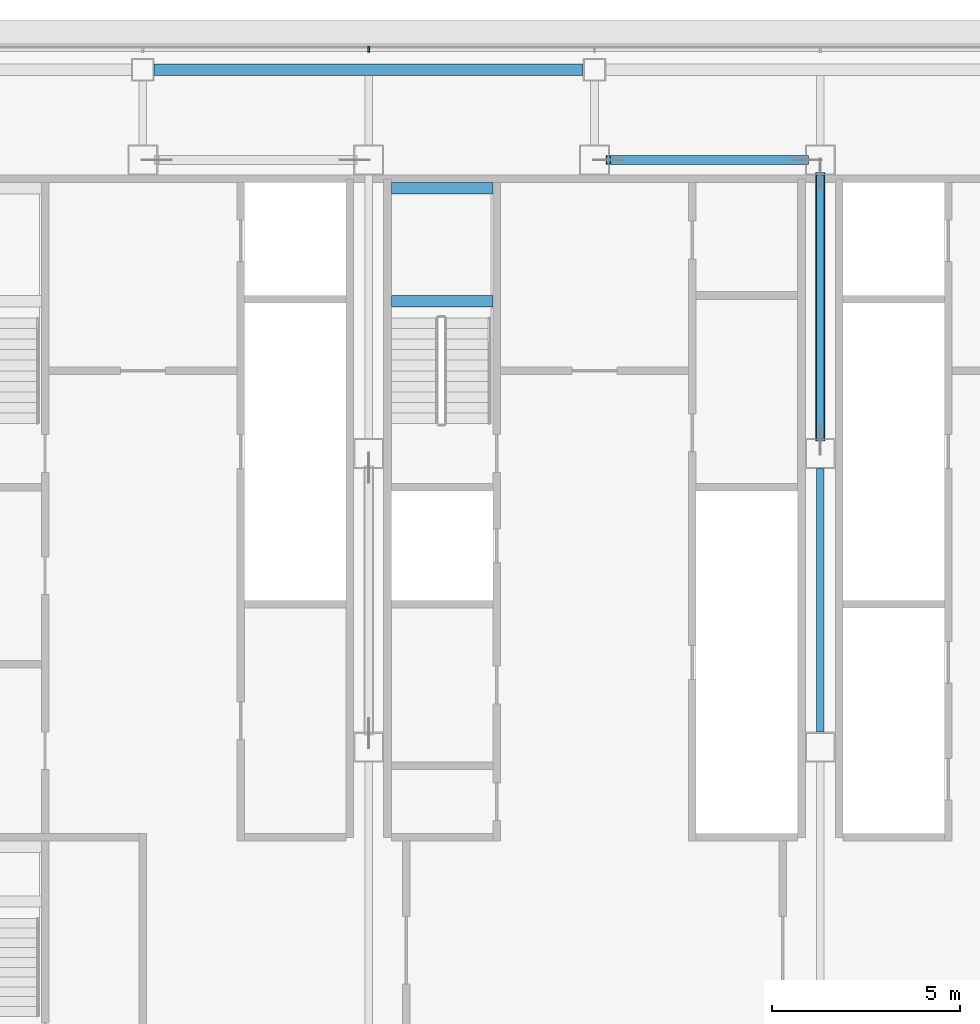
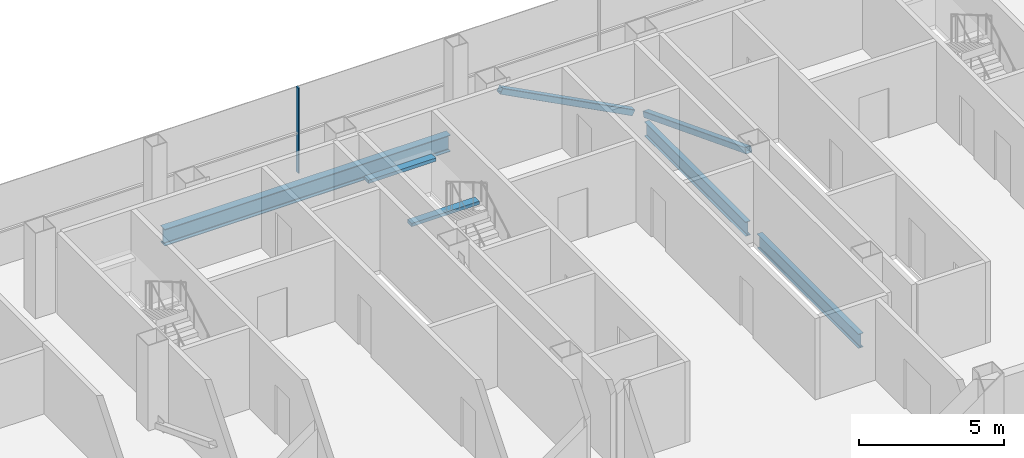
# One storey, part 14 of 28: 5 beams, 3 members, 1 element without a shape of its own.
"""IFC4 building model written with IfcOpenShell, lengths in metres."""

from ifc_helpers import new_model, si_unit, direction, frame, origin, origin_2d, place, context, subcontext, project, spatial, rectangle, hollow_rectangle, i_section, extrude, material, material_profile, profile_set, type_object, element, aggregate, save


model = new_model("IFC4")

# Units and contexts
model_context = context("Model", 3, precision=1e-05, world=origin(), true_north=direction((0.0, 1.0)))
body_context = subcontext(model_context, "Body", "Model", "MODEL_VIEW")
ifc_project = project(units=[si_unit("LENGTHUNIT", "METRE"), si_unit("AREAUNIT", "SQUARE_METRE"), si_unit("VOLUMEUNIT", "CUBIC_METRE"), si_unit("PLANEANGLEUNIT", "RADIAN"), si_unit("MASSUNIT", "GRAM", prefix="KILO")], contexts=[model_context])

# Site, building, storey
site_placement = place(None, origin())
site = spatial("IfcSite", under=ifc_project, at=site_placement, CompositionType="ELEMENT")
building_placement = place(site_placement, origin())
building = spatial("IfcBuilding", under=site, at=building_placement, Name="Sorahane Residences", CompositionType="ELEMENT")
storey_placement = place(building_placement, frame((0.0, 0.0, 273.800048828125)))
storey = spatial("IfcBuildingStorey", under=building, at=storey_placement, Name="L65", CompositionType="ELEMENT", Elevation=273.800048828125)

# Members
ifc_material_1 = material(Name="Steel Q355B", Category="steel")
ifc_material_profile_1 = material_profile(ifc_material_1, hollow_rectangle(XDim=0.25, YDim=0.25, WallThickness=0.013916015625, InnerFilletRadius=0.007080078125, OuterFilletRadius=0.02099609375, at=origin_2d()), Name="RHS 250x250x14")
ifc_profile_set_1 = profile_set([ifc_material_profile_1], Name="Steel Q355B")
member_type_1 = type_object("IfcMemberType", Name="Core brace RHS 250x250x14 Q355B", PredefinedType="BRACE", material=ifc_profile_set_1)
member_1_placement = place(storey_placement, frame((29.634765625, 45.60009765625, 0.106689453125), z_axis=(-0.886099769192, 0.0, 0.46349455125), x_axis=(0.0, -1.0, 0.0)))
element("IfcMember", 1, at=member_1_placement, inside=storey, type_object=member_type_1, Name="Core brace L65 y45.6-4", PredefinedType="BRACE", context=body_context, shape_type="SweptSolid", body=[
    extrude(hollow_rectangle(XDim=0.25, YDim=0.25, WallThickness=0.013916015625, InnerFilletRadius=0.007080078125, OuterFilletRadius=0.02099609375, at=origin_2d()), origin(), (0.0, 0.0, 1.0), 5.94677734375),
])
member_2_placement = place(storey_placement, frame((30.0, 45.22705078125, 0.114501953125), z_axis=(0.0, -0.932108763247, 0.362178482902), x_axis=(1.0, 0.0, 0.0)))
element("IfcMember", 2, at=member_2_placement, inside=storey, type_object=member_type_1, Name="Core brace L65 x30-2", PredefinedType="BRACE", context=body_context, shape_type="SweptSolid", body=[
    extrude(hollow_rectangle(XDim=0.25, YDim=0.25, WallThickness=0.013916015625, InnerFilletRadius=0.007080078125, OuterFilletRadius=0.02099609375, at=origin_2d()), origin(), (0.0, 0.0, 1.0), 7.568115234375),
])

# Curtain wall, member
ifc_material_2 = material(Name="Dark low-e glass and black anodised aluminium", Category="aluminium")
curtain_wall_type = type_object("IfcCurtainWallType", Name="Curtain wall CW-1 Typical unitised wall", PredefinedType="NOTDEFINED", material=ifc_material_2)
curtain_wall_placement = place(storey_placement, origin())
curtain_wall = element("IfcCurtainWall", 3, at=curtain_wall_placement, inside=storey, type_object=curtain_wall_type, Name="CW-1 curtain wall L65 N1", PredefinedType="NOTDEFINED")
ifc_material_3 = material(Name="Black anodised aluminium", Category="aluminium")
ifc_material_profile_2 = material_profile(ifc_material_3, rectangle(XDim=0.159912109375, YDim=0.050048828125, at=origin_2d()), Name="Curtain wall mullion CW-1 black anodised aluminium 50x160")
ifc_profile_set_2 = profile_set([ifc_material_profile_2], Name="Black anodised aluminium")
member_type_2 = type_object("IfcMemberType", Name="Curtain wall mullion CW-1 black anodised aluminium 50x160", PredefinedType="MULLION", material=ifc_profile_set_2)
member_3_placement = place(storey_placement, frame((18.0, 48.5400390625, -0.179931640625), z_axis=(0.0, 0.0, 1.0), x_axis=(0.0, 1.0, 0.0)))
member_3 = element("IfcMember", 4, at=member_3_placement, type_object=member_type_2, Name="CW-1 mullion L65 N1.6", PredefinedType="MULLION", context=body_context, shape_type="SweptSolid", body=[
    extrude(rectangle(XDim=0.159912109375, YDim=0.050048828125, at=origin_2d()), origin(), (0.0, 0.0, 1.0), 3.599853515625),
])
aggregate(curtain_wall, [member_3])

# Beams
ifc_material_4 = material(Name="Concrete C40", Category="concrete")
ifc_material_profile_3 = material_profile(ifc_material_4, rectangle(XDim=0.300048828125, YDim=0.139892578125, at=origin_2d()), Name="300x140")
ifc_profile_set_3 = profile_set([ifc_material_profile_3], Name="Concrete C40")
beam_type_1 = type_object("IfcBeamType", Name="RC landing beam 300 x 140 Concrete C40", PredefinedType="BEAM", material=ifc_profile_set_3)
for number, where, z_axis, x_axis, name in (
    (5, (18.60009765625, 41.85009765625, 1.530029296875), (1.0, 0.0, 0.0), (0.0, 1.0, 0.0), "Landing beam"),
    (6, (18.60009765625, 44.85009765625, 1.530029296875), (1.0, 0.0, 0.0), (0.0, 1.0, 0.0), "Landing beam"),
):
    element("IfcBeam", number, at=place(storey_placement, frame(where, z_axis=z_axis, x_axis=x_axis)), inside=storey, type_object=beam_type_1, Name=name, PredefinedType="BEAM", context=body_context, shape_type="SweptSolid", body=[
        extrude(rectangle(XDim=0.300048828125, YDim=0.139892578125, at=origin_2d()), origin(), (0.0, 0.0, 1.0), 2.699951171875),
    ])
ifc_material_5 = material(Name="Steel Q355B", Category="steel")
ifc_material_profile_4 = material_profile(ifc_material_5, i_section(OverallWidth=0.199951171875, OverallDepth=0.60009765625, WebThickness=0.010986328125, FlangeThickness=0.01708984375, FilletRadius=0.02392578125, at=origin_2d()), Name="HN 600x200x11x17")
ifc_profile_set_4 = profile_set([ifc_material_profile_4], Name="Steel Q355B")
beam_type_2 = type_object("IfcBeamType", Name="Steel floor beam HN 600x200x11x17 Q355B", PredefinedType="BEAM", material=ifc_profile_set_4)
for number, where, z_axis, x_axis, name in (
    (7, (30.0, 30.39990234375, -0.47998046875), (0.0, 1.0, 0.0), (-1.0, 0.0, 0.0), "Beam L65 047"),
    (8, (30.0, 38.199951171875, -0.47998046875), (0.0, 1.0, 0.0), (-1.0, 0.0, 0.0), "Beam L65 048"),
):
    element("IfcBeam", number, at=place(storey_placement, frame(where, z_axis=z_axis, x_axis=x_axis)), inside=storey, type_object=beam_type_2, Name=name, PredefinedType="BEAM", context=body_context, shape_type="SweptSolid", body=[
        extrude(i_section(OverallWidth=0.199951171875, OverallDepth=0.60009765625, WebThickness=0.010986328125, FlangeThickness=0.01708984375, FilletRadius=0.02392578125, at=origin_2d()), origin(), (0.0, 0.0, 1.0), 7.0),
    ])
ifc_material_6 = material(Name="Steel Q355B", Category="steel")
ifc_material_profile_5 = material_profile(ifc_material_6, i_section(OverallWidth=0.300048828125, OverallDepth=0.699951171875, WebThickness=0.012939453125, FlangeThickness=0.02392578125, FilletRadius=0.028076171875, at=origin_2d()), Name="HN 700x300x13x24")
ifc_profile_set_5 = profile_set([ifc_material_profile_5], Name="Steel Q355B")
beam_type_3 = type_object("IfcBeamType", Name="Steel floor beam HN 700x300x13x24 Q355B", PredefinedType="BEAM", material=ifc_profile_set_5)
beam_placement = place(storey_placement, frame((12.300048828125, 48.0, -0.530029296875), z_axis=(1.0, 0.0, 0.0), x_axis=(0.0, 1.0, 0.0)))
element("IfcBeam", 9, at=beam_placement, inside=storey, type_object=beam_type_3, Name="Beam L65 017", PredefinedType="BEAM", context=body_context, shape_type="SweptSolid", body=[
    extrude(i_section(OverallWidth=0.300048828125, OverallDepth=0.699951171875, WebThickness=0.012939453125, FlangeThickness=0.02392578125, FilletRadius=0.028076171875, at=origin_2d()), origin(), (0.0, 0.0, 1.0), 11.39990234375),
])

save(model, "model.ifc")
